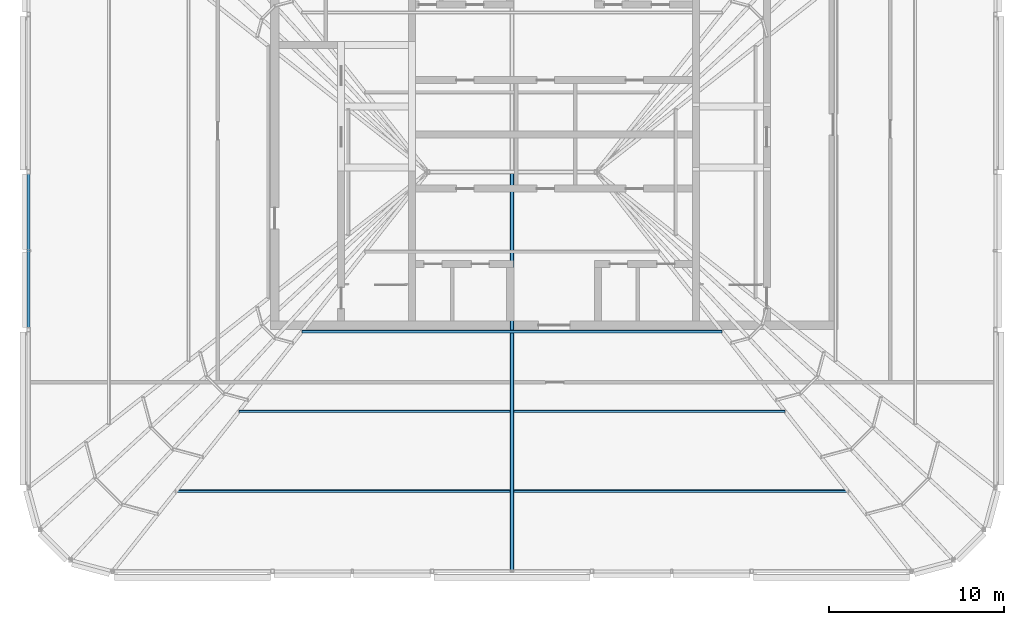
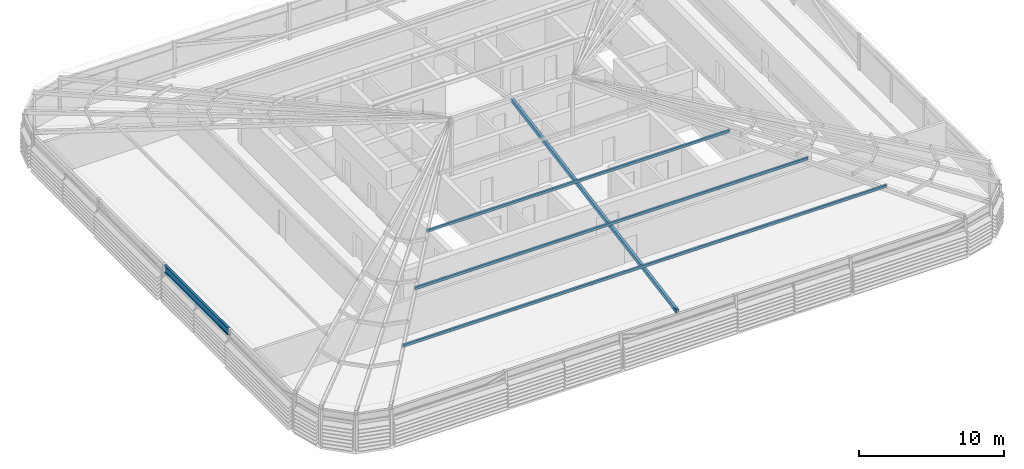
# One storey, part 7 of 46: 4 members, 1 beam.
"""IFC4 building model written with IfcOpenShell, lengths in metres."""

from ifc_helpers import new_model, si_unit, direction, frame, origin, origin_2d, place, context, subcontext, project, spatial, hollow_rectangle, i_section, extrude, material, material_profile, profile_set, type_object, element, save


model = new_model("IFC4")

# Units and contexts
model_context = context("Model", 3, precision=1e-05, world=origin(), true_north=direction((0.0, 1.0)))
body_context = subcontext(model_context, "Body", "Model", "MODEL_VIEW")
ifc_project = project(units=[si_unit("LENGTHUNIT", "METRE"), si_unit("AREAUNIT", "SQUARE_METRE"), si_unit("VOLUMEUNIT", "CUBIC_METRE"), si_unit("PLANEANGLEUNIT", "RADIAN"), si_unit("MASSUNIT", "GRAM", prefix="KILO")], contexts=[model_context])

# Site, building, storey
site_placement = place(None, origin())
site = spatial("IfcSite", under=ifc_project, at=site_placement, CompositionType="ELEMENT")
building_placement = place(site_placement, origin())
building = spatial("IfcBuilding", under=site, at=building_placement, Name="Madar Terraces", CompositionType="ELEMENT")
storey_placement = place(building_placement, frame((0.0, 0.0, 317.300048828125)))
storey = spatial("IfcBuildingStorey", under=building, at=storey_placement, Name="L82", CompositionType="ELEMENT", Elevation=317.300048828125)

# Beam
ifc_material_1 = material(Name="Steel ASTM A992 Grade 50", Category="steel")
ifc_material_profile_1 = material_profile(ifc_material_1, i_section(OverallWidth=0.1787109375, OverallDepth=0.60205078125, WebThickness=0.010986328125, FlangeThickness=0.014892578125, at=origin_2d()), Name="W24x62")
ifc_profile_set_1 = profile_set([ifc_material_profile_1], Name="Steel ASTM A992 Grade 50")
beam_type = type_object("IfcBeamType", Name="CF2 W24x62", PredefinedType="BEAM", material=ifc_profile_set_1)
beam_placement = place(storey_placement, frame((1.199951171875, 23.8984375, 2.698974609375), z_axis=(0.0, -1.0, 0.0), x_axis=(1.0, 0.0, 0.0)))
element("IfcBeam", 1, at=beam_placement, inside=storey, type_object=beam_type, Name="Crown frame ring beam CF2", PredefinedType="BEAM", context=body_context, shape_type="SweptSolid", body=[
    extrude(i_section(OverallWidth=0.1787109375, OverallDepth=0.60205078125, WebThickness=0.010986328125, FlangeThickness=0.014892578125, at=origin_2d()), origin(), (0.0, 0.0, 1.0), 8.796875),
])

# Members
ifc_material_2 = material(Name="Steel ASTM A500 Grade C", Category="steel")
ifc_material_profile_2 = material_profile(ifc_material_2, hollow_rectangle(XDim=0.203125, YDim=0.3046875, WallThickness=0.00634765625, InnerFilletRadius=0.0029296875, OuterFilletRadius=0.0087890625, at=origin_2d()), Name="HSS12x8x.25")
ifc_profile_set_2 = profile_set([ifc_material_profile_2], Name="Steel ASTM A500 Grade C")
member_type_1 = type_object("IfcMemberType", Name="CF3 HSS12x8x.25", PredefinedType="RAFTER", material=ifc_profile_set_2)
member_1_placement = place(storey_placement, frame((28.800048828125, 1.226318359375, 3.150146484375), z_axis=(0.0, 0.984957087631, 0.172799118994), x_axis=(-1.0, 0.0, 0.0)))
element("IfcMember", 2, at=member_1_placement, inside=storey, type_object=member_type_1, Name="Crown frame rafter S1", PredefinedType="RAFTER", context=body_context, shape_type="SweptSolid", body=[
    extrude(hollow_rectangle(XDim=0.203125, YDim=0.3046875, WallThickness=0.00634765625, InnerFilletRadius=0.0029296875, OuterFilletRadius=0.0087890625, at=origin_2d()), origin(), (0.0, 0.0, 1.0), 23.148193359375),
])
ifc_material_3 = material(Name="Steel ASTM A500 Grade C", Category="steel")
ifc_material_profile_3 = material_profile(ifc_material_3, hollow_rectangle(XDim=0.126953125, YDim=0.25390625, WallThickness=0.00634765625, InnerFilletRadius=0.0029296875, OuterFilletRadius=0.0087890625, at=origin_2d()), Name="HSS10x5x.25")
ifc_profile_set_3 = profile_set([ifc_material_profile_3], Name="Steel ASTM A500 Grade C")
member_type_2 = type_object("IfcMemberType", Name="CF4 HSS10x5x.25", PredefinedType="PURLIN", material=ifc_profile_set_3)
member_2_placement = place(storey_placement, frame((9.60009765625, 5.781982421875, 4.22900390625), z_axis=(1.0, 0.0, 0.0), x_axis=(0.0, 0.984957023705, 0.172799483372)))
element("IfcMember", 3, at=member_2_placement, inside=storey, type_object=member_type_2, Name="Crown frame purlin 1", PredefinedType="PURLIN", context=body_context, shape_type="SweptSolid", body=[
    extrude(hollow_rectangle(XDim=0.126953125, YDim=0.25390625, WallThickness=0.00634765625, InnerFilletRadius=0.0029296875, OuterFilletRadius=0.0087890625, at=origin_2d()), origin(), (0.0, 0.0, 1.0), 38.39990234375),
])
member_3_placement = place(storey_placement, frame((13.199951171875, 10.342041015625, 5.029052734375), z_axis=(1.0, 0.0, 0.0), x_axis=(0.0, 0.984957023705, 0.172799483372)))
element("IfcMember", 4, at=member_3_placement, inside=storey, type_object=member_type_2, Name="Crown frame purlin 2", PredefinedType="PURLIN", context=body_context, shape_type="SweptSolid", body=[
    extrude(hollow_rectangle(XDim=0.126953125, YDim=0.25390625, WallThickness=0.00634765625, InnerFilletRadius=0.0029296875, OuterFilletRadius=0.0087890625, at=origin_2d()), origin(), (0.0, 0.0, 1.0), 31.199951171875),
])
member_4_placement = place(storey_placement, frame((16.800048828125, 14.90185546875, 5.8291015625), z_axis=(1.0, 0.0, 0.0), x_axis=(0.0, 0.984957023705, 0.172799483372)))
element("IfcMember", 5, at=member_4_placement, inside=storey, type_object=member_type_2, Name="Crown frame purlin 3", PredefinedType="PURLIN", context=body_context, shape_type="SweptSolid", body=[
    extrude(hollow_rectangle(XDim=0.126953125, YDim=0.25390625, WallThickness=0.00634765625, InnerFilletRadius=0.0029296875, OuterFilletRadius=0.0087890625, at=origin_2d()), origin(), (0.0, 0.0, 1.0), 24.0),
])

save(model, "model.ifc")
